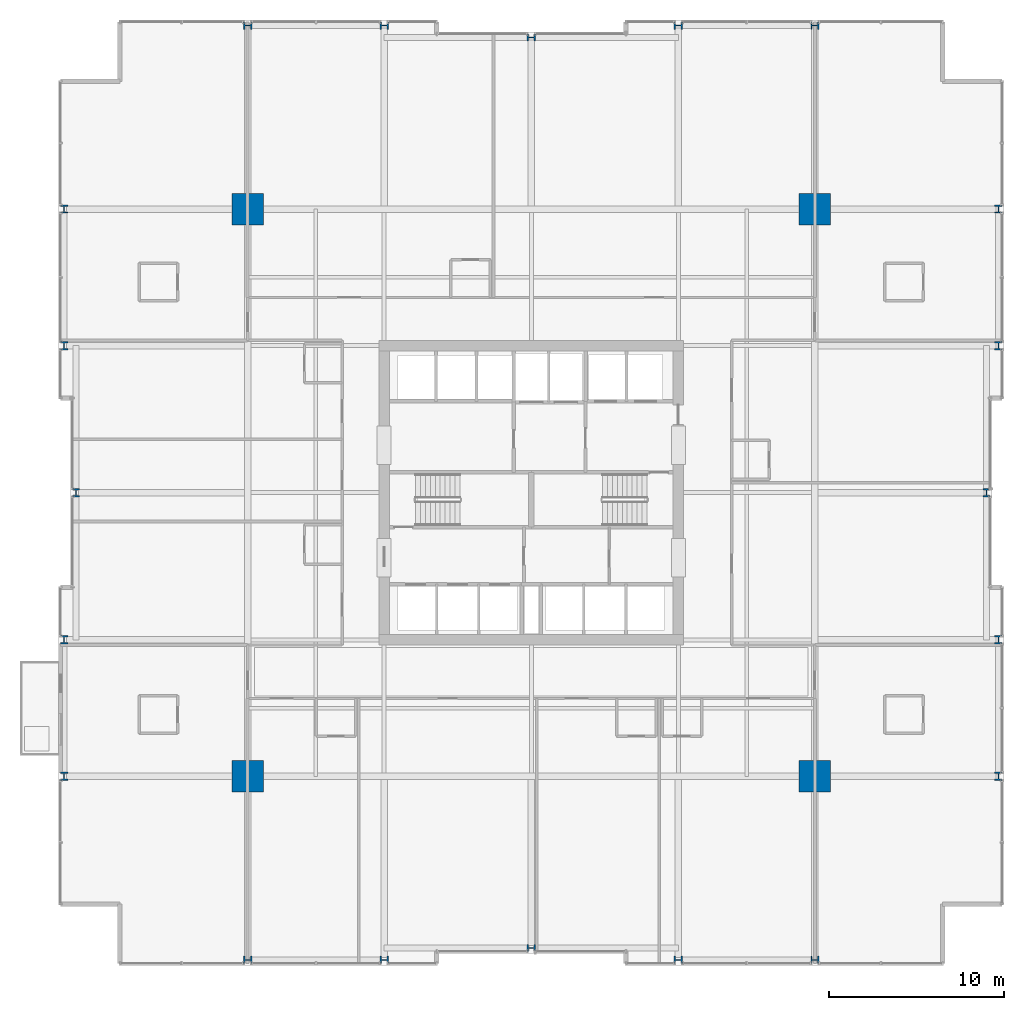
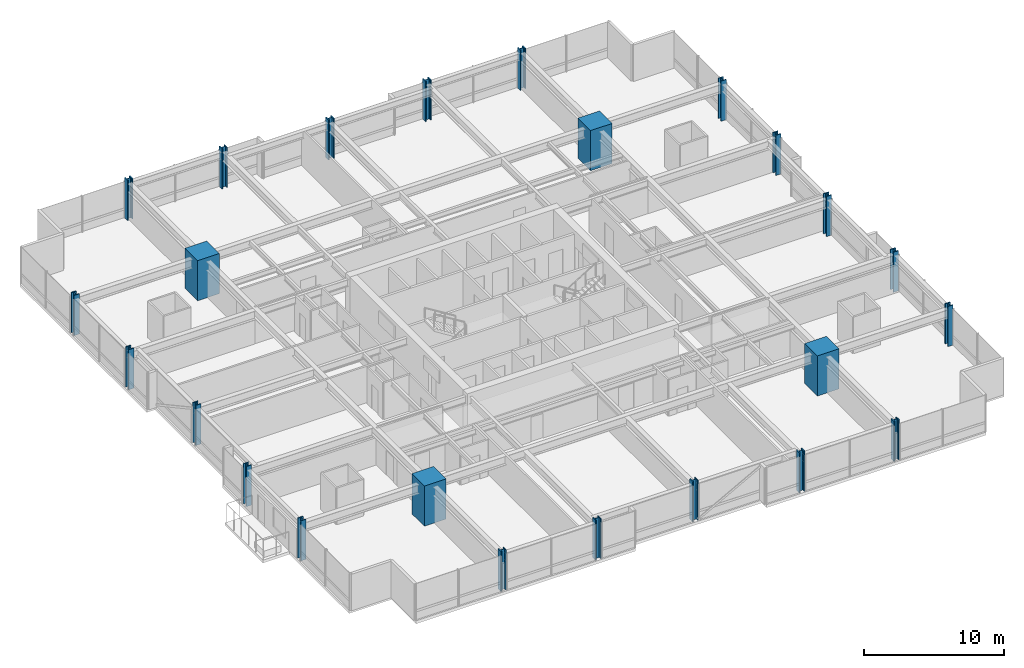
# One storey, part 1 of 37: 24 columns.
"""IFC4 building model written with IfcOpenShell, lengths in metres."""

from ifc_helpers import new_model, si_unit, direction, frame, origin, origin_2d, place, context, subcontext, project, spatial, rectangle, i_section, extrude, material, material_profile, profile_set, type_object, element, save


model = new_model("IFC4")

# Units and contexts
model_context = context("Model", 3, precision=1e-05, world=origin(), true_north=direction((0.0, 1.0)))
body_context = subcontext(model_context, "Body", "Model", "MODEL_VIEW")
ifc_project = project(units=[si_unit("LENGTHUNIT", "METRE"), si_unit("AREAUNIT", "SQUARE_METRE"), si_unit("VOLUMEUNIT", "CUBIC_METRE"), si_unit("PLANEANGLEUNIT", "RADIAN"), si_unit("MASSUNIT", "GRAM", prefix="KILO")], contexts=[model_context])

# Site, building, storey
site_placement = place(None, origin())
site = spatial("IfcSite", under=ifc_project, at=site_placement, CompositionType="ELEMENT")
building_placement = place(site_placement, origin())
building = spatial("IfcBuilding", under=site, at=building_placement, Name="Drelvath Grand Hotel", CompositionType="ELEMENT")
storey_placement = place(building_placement, frame((0.0, 0.0, 78.699951171875)))
storey = spatial("IfcBuildingStorey", under=building, at=storey_placement, Name="L19", CompositionType="ELEMENT", Elevation=78.699951171875)

# Columns
ifc_material_1 = material(Name="Concrete f'c 70 MPa", Category="concrete")
ifc_material_profile_1 = material_profile(ifc_material_1, rectangle(XDim=1.800048828125, YDim=1.800048828125, at=origin_2d()), Name="MC1800X1800")
ifc_profile_set_1 = profile_set([ifc_material_profile_1], Name="Concrete f'c 70 MPa")
column_type_1 = type_object("IfcColumnType", Name="Composite Mega Column MC1800X1800", PredefinedType="COLUMN", material=ifc_profile_set_1)
for number, where, z_axis, x_axis, name in (
    (1, (-16.199951171875, 10.800048828125, 0.0), (0.0, 0.0, 1.0), (1.0, 0.0, 0.0), "L19 Composite Mega Column MC-SW"),
    (2, (16.199951171875, 10.800048828125, 0.0), (0.0, 0.0, 1.0), (1.0, 0.0, 0.0), "L19 Composite Mega Column MC-SE"),
    (3, (-16.199951171875, 43.199951171875, 0.0), (0.0, 0.0, 1.0), (1.0, 0.0, 0.0), "L19 Composite Mega Column MC-NW"),
    (4, (16.199951171875, 43.199951171875, 0.0), (0.0, 0.0, 1.0), (1.0, 0.0, 0.0), "L19 Composite Mega Column MC-NE"),
):
    element("IfcColumn", number, at=place(storey_placement, frame(where, z_axis=z_axis, x_axis=x_axis)), inside=storey, type_object=column_type_1, Name=name, PredefinedType="COLUMN", context=body_context, shape_type="SweptSolid", body=[
        extrude(rectangle(XDim=1.800048828125, YDim=1.800048828125, at=origin_2d()), origin(), (0.0, 0.0, 1.0), 3.5),
    ])
ifc_material_2 = material(Name="Steel ASTM A913 Gr 65", Category="steel")
ifc_material_profile_2 = material_profile(ifc_material_2, i_section(OverallWidth=0.424072265625, OverallDepth=0.47412109375, WebThickness=0.047607421875, FlangeThickness=0.0771484375, FilletRadius=0.030029296875, at=origin_2d()), Name="W14X426")
ifc_profile_set_2 = profile_set([ifc_material_profile_2], Name="Steel ASTM A913 Gr 65")
column_type_2 = type_object("IfcColumnType", Name="Perimeter Steel Column W14X426", PredefinedType="COLUMN", material=ifc_profile_set_2)
for number, where, z_axis, x_axis, name in (
    (5, (-26.679931640625, 10.800048828125, 0.0), (0.0, 0.0, 1.0), (1.0, 0.0, 0.0), "L19 Structural Column TCW-C"),
    (6, (26.679931640625, 10.800048828125, 0.0), (0.0, 0.0, 1.0), (1.0, 0.0, 0.0), "L19 Structural Column TCE-C"),
    (7, (-26.679931640625, 18.60009765625, 0.0), (0.0, 0.0, 1.0), (1.0, 0.0, 0.0), "L19 Structural Column TCW-D"),
    (8, (26.679931640625, 18.60009765625, 0.0), (0.0, 0.0, 1.0), (1.0, 0.0, 0.0), "L19 Structural Column TCE-D"),
    (9, (-26.0, 27.0, 0.0), (0.0, 0.0, 1.0), (1.0, 0.0, 0.0), "L19 Structural Column TCW-E"),
    (10, (26.0, 27.0, 0.0), (0.0, 0.0, 1.0), (1.0, 0.0, 0.0), "L19 Structural Column TCE-E"),
    (11, (-26.679931640625, 35.39990234375, 0.0), (0.0, 0.0, 1.0), (1.0, 0.0, 0.0), "L19 Structural Column TCW-F"),
    (12, (26.679931640625, 35.39990234375, 0.0), (0.0, 0.0, 1.0), (1.0, 0.0, 0.0), "L19 Structural Column TCE-F"),
    (13, (-26.679931640625, 43.199951171875, 0.0), (0.0, 0.0, 1.0), (1.0, 0.0, 0.0), "L19 Structural Column TCW-G"),
    (14, (26.679931640625, 43.199951171875, 0.0), (0.0, 0.0, 1.0), (1.0, 0.0, 0.0), "L19 Structural Column TCE-G"),
    (15, (-16.199951171875, 0.320068359375, 0.0), (0.0, 0.0, 1.0), (0.0, 1.0, 0.0), "L19 Structural Column TCS-3"),
    (16, (-16.199951171875, 53.679931640625, 0.0), (0.0, 0.0, 1.0), (0.0, 1.0, 0.0), "L19 Structural Column TCN-3"),
    (17, (-8.39990234375, 0.320068359375, 0.0), (0.0, 0.0, 1.0), (0.0, 1.0, 0.0), "L19 Structural Column TCS-4"),
    (18, (-8.39990234375, 53.679931640625, 0.0), (0.0, 0.0, 1.0), (0.0, 1.0, 0.0), "L19 Structural Column TCN-4"),
    (19, (0.0, 1.0, 0.0), (0.0, 0.0, 1.0), (0.0, 1.0, 0.0), "L19 Structural Column TCS-5"),
    (20, (0.0, 53.0, 0.0), (0.0, 0.0, 1.0), (0.0, 1.0, 0.0), "L19 Structural Column TCN-5"),
    (21, (8.39990234375, 0.320068359375, 0.0), (0.0, 0.0, 1.0), (0.0, 1.0, 0.0), "L19 Structural Column TCS-6"),
    (22, (8.39990234375, 53.679931640625, 0.0), (0.0, 0.0, 1.0), (0.0, 1.0, 0.0), "L19 Structural Column TCN-6"),
    (23, (16.199951171875, 0.320068359375, 0.0), (0.0, 0.0, 1.0), (0.0, 1.0, 0.0), "L19 Structural Column TCS-7"),
    (24, (16.199951171875, 53.679931640625, 0.0), (0.0, 0.0, 1.0), (0.0, 1.0, 0.0), "L19 Structural Column TCN-7"),
):
    element("IfcColumn", number, at=place(storey_placement, frame(where, z_axis=z_axis, x_axis=x_axis)), inside=storey, type_object=column_type_2, Name=name, PredefinedType="COLUMN", context=body_context, shape_type="SweptSolid", body=[
        extrude(i_section(OverallWidth=0.424072265625, OverallDepth=0.47412109375, WebThickness=0.047607421875, FlangeThickness=0.0771484375, FilletRadius=0.030029296875, at=origin_2d()), origin(), (0.0, 0.0, 1.0), 3.4970703125),
    ])

save(model, "model.ifc")
